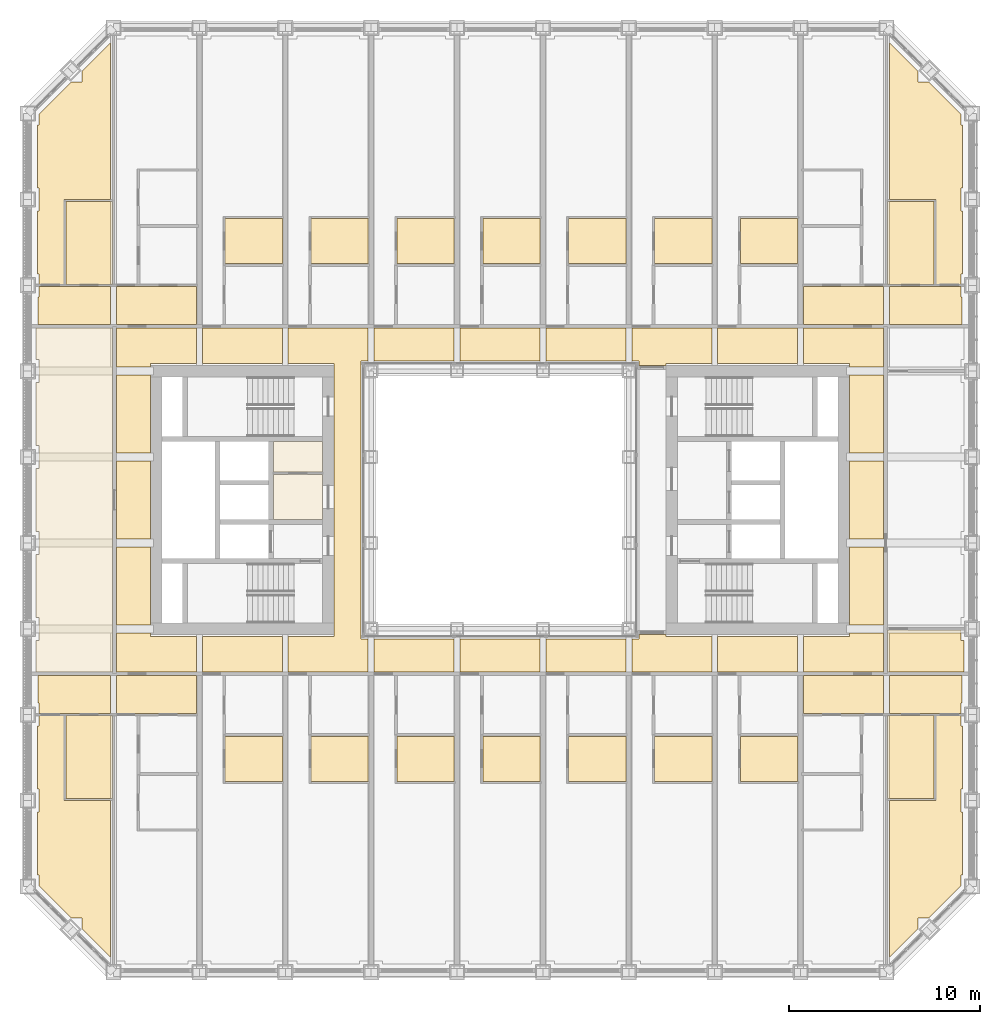
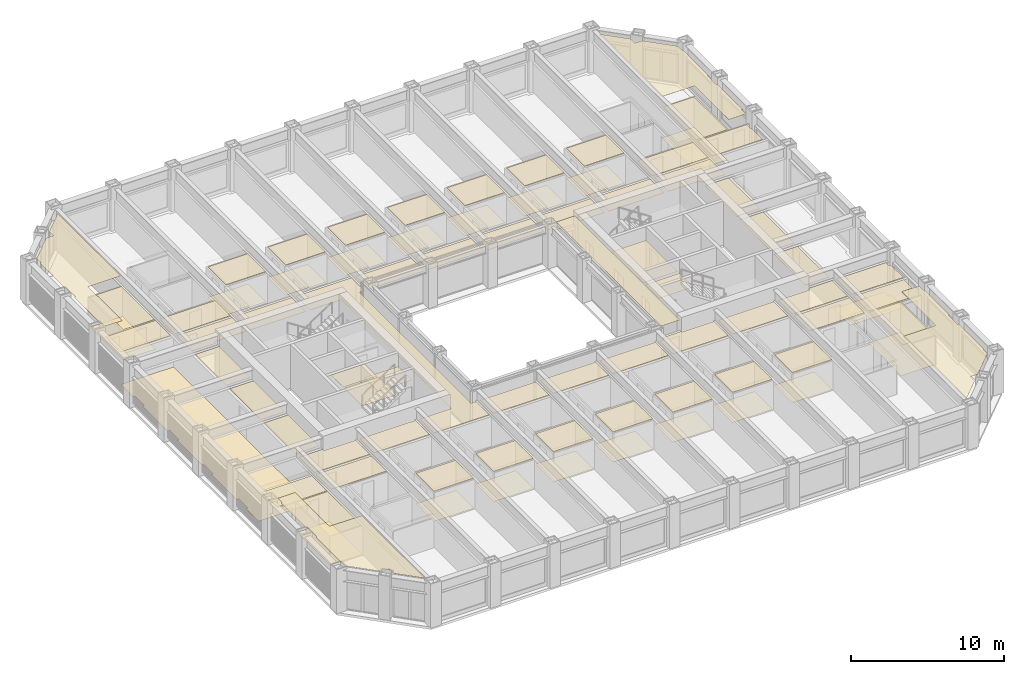
# One storey, part 19 of 21: 4 coverings.
"""IFC4 building model written with IfcOpenShell, lengths in metres."""

from ifc_helpers import new_model, si_unit, direction, frame, origin, place, context, subcontext, project, spatial, line, indexed_curve, outline, extrude, material, layer, layer_set, type_object, element, save


model = new_model("IFC4")

# Units and contexts
model_context = context("Model", 3, precision=1e-05, world=origin(), true_north=direction((0.0, 1.0)))
body_context = subcontext(model_context, "Body", "Model", "MODEL_VIEW")
ifc_project = project(units=[si_unit("LENGTHUNIT", "METRE"), si_unit("AREAUNIT", "SQUARE_METRE"), si_unit("VOLUMEUNIT", "CUBIC_METRE"), si_unit("PLANEANGLEUNIT", "RADIAN"), si_unit("MASSUNIT", "GRAM", prefix="KILO")], contexts=[model_context])

# Site, building, storey
site_placement = place(None, origin())
site = spatial("IfcSite", under=ifc_project, at=site_placement, CompositionType="ELEMENT")
building_placement = place(site_placement, origin())
building = spatial("IfcBuilding", under=site, at=building_placement, Name="Msasa Ring Tower", CompositionType="ELEMENT")
storey_placement = place(building_placement, frame((0.0, 0.0, 33.5)))
storey = spatial("IfcBuildingStorey", under=building, at=storey_placement, Name="L07", CompositionType="ELEMENT", Elevation=33.5)

# Coverings
ifc_material_1 = material(Name="Gypsum plasterboard on a steel suspension grid", Category="steel")
ifc_layer_1 = layer(ifc_material_1, 0.014892578125)
ifc_layer_set_1 = layer_set([ifc_layer_1], Name="C1 SUSPENDED PLASTERBOARD CEILING 15")
covering_type_1 = type_object("IfcCoveringType", Name="C1 SUSPENDED PLASTERBOARD CEILING 15", PredefinedType="CEILING", material=ifc_layer_set_1)
covering_1_placement = place(storey_placement, frame((0.0, 0.0, 2.39990234375)))
element("IfcCovering", 1, at=covering_1_placement, inside=storey, type_object=covering_type_1, Name="Suspended Plasterboard Ceiling 15 circulation L07", PredefinedType="CEILING", context=body_context, shape_type="SweptSolid", body=[
    extrude(outline(indexed_curve([(-24.1494140625, -11.199462890625), (-24.1494140625, -10.6494140625), (-24.199462890625, -10.6494140625), (-24.199462890625, -9.200439453125), (-20.404296875, -9.200439453125), (-20.404296875, -11.199462890625)], segments=[line(1, 2, 3, 4, 5, 6, 1)], self_intersect=False)), origin(), (0.0, 0.0, 1.0), 0.01513671875),
    extrude(outline(indexed_curve([(-24.199462890625, 9.200439453125), (-24.199462890625, 10.6494140625), (-24.1494140625, 10.6494140625), (-24.1494140625, 11.199462890625), (-20.404296875, 11.199462890625), (-20.404296875, 9.200439453125)], segments=[line(1, 2, 3, 4, 5, 6, 1)], self_intersect=False)), origin(), (0.0, 0.0, 1.0), 0.01513671875),
    extrude(outline(indexed_curve([(-20.099609375, -2.460693359375), (-18.300537109375, -2.460693359375), (-18.300537109375, -6.539306640625), (-20.099609375, -6.539306640625)], segments=[line(1, 2, 3, 4, 1)], self_intersect=False)), origin(), (0.0, 0.0, 1.0), 0.01513671875),
    extrude(outline(indexed_curve([(-20.099609375, 2.039306640625), (-18.300537109375, 2.039306640625), (-18.300537109375, -2.039306640625), (-20.099609375, -2.039306640625)], segments=[line(1, 2, 3, 4, 1)], self_intersect=False)), origin(), (0.0, 0.0, 1.0), 0.01513671875),
    extrude(outline(indexed_curve([(-20.099609375, 6.539306640625), (-18.300537109375, 6.539306640625), (-18.300537109375, 2.460693359375), (-20.099609375, 2.460693359375)], segments=[line(1, 2, 3, 4, 1)], self_intersect=False)), origin(), (0.0, 0.0, 1.0), 0.01513671875),
    extrude(outline(indexed_curve([(-20.095703125, -11.199462890625), (-20.095703125, -9.200439453125), (-15.904296875, -9.200439453125), (-15.904296875, -11.199462890625)], segments=[line(1, 2, 3, 4, 1)], self_intersect=False)), origin(), (0.0, 0.0, 1.0), 0.01513671875),
    extrude(outline(indexed_curve([(-20.095703125, -8.99951171875), (-20.095703125, -6.960693359375), (-18.300537109375, -6.960693359375), (-18.300537109375, -7.150390625), (-15.904296875, -7.150390625), (-15.904296875, -8.99951171875)], segments=[line(1, 2, 3, 4, 5, 6, 1)], self_intersect=False)), origin(), (0.0, 0.0, 1.0), 0.01513671875),
    extrude(outline(indexed_curve([(-15.904296875, 8.99951171875), (-15.904296875, 7.150390625), (-18.300537109375, 7.150390625), (-18.300537109375, 6.960693359375), (-20.095703125, 6.960693359375), (-20.095703125, 8.99951171875)], segments=[line(1, 2, 3, 4, 5, 6, 1)], self_intersect=False)), origin(), (0.0, 0.0, 1.0), 0.01513671875),
    extrude(outline(indexed_curve([(-20.095703125, 9.200439453125), (-20.095703125, 11.199462890625), (-15.904296875, 11.199462890625), (-15.904296875, 9.200439453125)], segments=[line(1, 2, 3, 4, 1)], self_intersect=False)), origin(), (0.0, 0.0, 1.0), 0.01513671875),
    extrude(outline(indexed_curve([(-15.595703125, -8.99951171875), (-15.595703125, -7.150390625), (-11.404296875, -7.150390625), (-11.404296875, -8.99951171875)], segments=[line(1, 2, 3, 4, 1)], self_intersect=False)), origin(), (0.0, 0.0, 1.0), 0.01513671875),
    extrude(outline(indexed_curve([(-11.404296875, 8.99951171875), (-11.404296875, 7.150390625), (-15.595703125, 7.150390625), (-15.595703125, 8.99951171875)], segments=[line(1, 2, 3, 4, 1)], self_intersect=False)), origin(), (0.0, 0.0, 1.0), 0.01513671875),
    extrude(outline(indexed_curve([(-11.87451171875, -3.074462890625), (-11.87451171875, -1.275390625), (-9.300537109375, -1.275390625), (-9.300537109375, -3.074462890625)], segments=[line(1, 2, 3, 4, 1)], self_intersect=False)), origin(), (0.0, 0.0, 1.0), 0.01513671875),
    extrude(outline(indexed_curve([(-11.095703125, -8.99951171875), (-11.095703125, -7.150390625), (-8.699462890625, -7.150390625), (-8.699462890625, 7.150390625), (-11.095703125, 7.150390625), (-11.095703125, 8.99951171875), (-6.904296875, 8.99951171875), (-6.904296875, 7.280029296875), (-7.275390625, 7.275390625), (-7.280517578125, 7.23046875), (-7.280517578125, -7.23046875), (-7.275390625, -7.275390625), (-6.904296875, -7.280029296875), (-6.904296875, -8.99951171875)], segments=[line(1, 2, 3, 4, 5, 6, 7, 8, 9, 10, 11, 12, 13, 14, 1)], self_intersect=False)), origin(), (0.0, 0.0, 1.0), 0.01513671875),
    extrude(outline(indexed_curve([(-6.595703125, -8.99951171875), (-6.595703125, -7.280029296875), (-2.404296875, -7.280029296875), (-2.404296875, -8.99951171875)], segments=[line(1, 2, 3, 4, 1)], self_intersect=False)), origin(), (0.0, 0.0, 1.0), 0.01513671875),
    extrude(outline(indexed_curve([(-2.404296875, 8.99951171875), (-2.404296875, 7.280029296875), (-6.595703125, 7.280029296875), (-6.595703125, 8.99951171875)], segments=[line(1, 2, 3, 4, 1)], self_intersect=False)), origin(), (0.0, 0.0, 1.0), 0.01513671875),
    extrude(outline(indexed_curve([(-2.095703125, -8.99951171875), (-2.095703125, -7.280029296875), (2.095703125, -7.280029296875), (2.095703125, -8.99951171875)], segments=[line(1, 2, 3, 4, 1)], self_intersect=False)), origin(), (0.0, 0.0, 1.0), 0.01513671875),
    extrude(outline(indexed_curve([(2.095703125, 8.99951171875), (2.095703125, 7.280029296875), (-2.095703125, 7.280029296875), (-2.095703125, 8.99951171875)], segments=[line(1, 2, 3, 4, 1)], self_intersect=False)), origin(), (0.0, 0.0, 1.0), 0.01513671875),
    extrude(outline(indexed_curve([(2.404296875, -8.99951171875), (2.404296875, -7.280029296875), (6.595703125, -7.280029296875), (6.595703125, -8.99951171875)], segments=[line(1, 2, 3, 4, 1)], self_intersect=False)), origin(), (0.0, 0.0, 1.0), 0.01513671875),
    extrude(outline(indexed_curve([(6.595703125, 8.99951171875), (6.595703125, 7.280029296875), (2.404296875, 7.280029296875), (2.404296875, 8.99951171875)], segments=[line(1, 2, 3, 4, 1)], self_intersect=False)), origin(), (0.0, 0.0, 1.0), 0.01513671875),
    extrude(outline(indexed_curve([(6.904296875, -8.99951171875), (6.904296875, -7.280029296875), (7.275390625, -7.275390625), (7.280029296875, -7.050537109375), (8.699462890625, -7.050537109375), (8.699462890625, -7.150390625), (11.095703125, -7.150390625), (11.095703125, -8.99951171875)], segments=[line(1, 2, 3, 4, 5, 6, 7, 8, 1)], self_intersect=False)), origin(), (0.0, 0.0, 1.0), 0.01513671875),
    extrude(outline(indexed_curve([(11.095703125, 8.99951171875), (11.095703125, 7.150390625), (8.699462890625, 7.150390625), (8.699462890625, 7.050537109375), (7.280029296875, 7.050537109375), (7.275390625, 7.275390625), (6.904296875, 7.280029296875), (6.904296875, 8.99951171875)], segments=[line(1, 2, 3, 4, 5, 6, 7, 8, 1)], self_intersect=False)), origin(), (0.0, 0.0, 1.0), 0.01513671875),
    extrude(outline(indexed_curve([(9.300537109375, -3.074462890625), (9.300537109375, -1.275390625), (11.87451171875, -1.275390625), (11.87451171875, -3.074462890625)], segments=[line(1, 2, 3, 4, 1)], self_intersect=False)), origin(), (0.0, 0.0, 1.0), 0.01513671875),
    extrude(outline(indexed_curve([(9.300537109375, -1.0244140625), (9.300537109375, 3.074462890625), (11.87451171875, 3.074462890625), (11.87451171875, -1.0244140625)], segments=[line(1, 2, 3, 4, 1)], self_intersect=False)), origin(), (0.0, 0.0, 1.0), 0.01513671875),
    extrude(outline(indexed_curve([(11.404296875, -8.99951171875), (11.404296875, -7.150390625), (15.595703125, -7.150390625), (15.595703125, -8.99951171875)], segments=[line(1, 2, 3, 4, 1)], self_intersect=False)), origin(), (0.0, 0.0, 1.0), 0.01513671875),
    extrude(outline(indexed_curve([(15.595703125, 8.99951171875), (15.595703125, 7.150390625), (11.404296875, 7.150390625), (11.404296875, 8.99951171875)], segments=[line(1, 2, 3, 4, 1)], self_intersect=False)), origin(), (0.0, 0.0, 1.0), 0.01513671875),
    extrude(outline(indexed_curve([(15.904296875, -11.199462890625), (15.904296875, -9.200439453125), (20.095703125, -9.200439453125), (20.095703125, -11.199462890625)], segments=[line(1, 2, 3, 4, 1)], self_intersect=False)), origin(), (0.0, 0.0, 1.0), 0.01513671875),
    extrude(outline(indexed_curve([(15.904296875, -8.99951171875), (15.904296875, -7.150390625), (18.300537109375, -7.150390625), (18.300537109375, -6.960693359375), (20.095703125, -6.960693359375), (20.095703125, -8.99951171875)], segments=[line(1, 2, 3, 4, 5, 6, 1)], self_intersect=False)), origin(), (0.0, 0.0, 1.0), 0.01513671875),
    extrude(outline(indexed_curve([(20.095703125, 8.99951171875), (20.095703125, 6.960693359375), (18.300537109375, 6.960693359375), (18.300537109375, 7.150390625), (15.904296875, 7.150390625), (15.904296875, 8.99951171875)], segments=[line(1, 2, 3, 4, 5, 6, 1)], self_intersect=False)), origin(), (0.0, 0.0, 1.0), 0.01513671875),
    extrude(outline(indexed_curve([(15.904296875, 9.200439453125), (15.904296875, 11.199462890625), (20.095703125, 11.199462890625), (20.095703125, 9.200439453125)], segments=[line(1, 2, 3, 4, 1)], self_intersect=False)), origin(), (0.0, 0.0, 1.0), 0.01513671875),
    extrude(outline(indexed_curve([(20.099609375, -6.539306640625), (18.300537109375, -6.539306640625), (18.300537109375, -2.460693359375), (20.099609375, -2.460693359375)], segments=[line(1, 2, 3, 4, 1)], self_intersect=False)), origin(), (0.0, 0.0, 1.0), 0.01513671875),
    extrude(outline(indexed_curve([(20.099609375, -2.039306640625), (18.300537109375, -2.039306640625), (18.300537109375, 2.039306640625), (20.099609375, 2.039306640625)], segments=[line(1, 2, 3, 4, 1)], self_intersect=False)), origin(), (0.0, 0.0, 1.0), 0.01513671875),
    extrude(outline(indexed_curve([(20.099609375, 2.460693359375), (18.300537109375, 2.460693359375), (18.300537109375, 6.539306640625), (20.099609375, 6.539306640625)], segments=[line(1, 2, 3, 4, 1)], self_intersect=False)), origin(), (0.0, 0.0, 1.0), 0.01513671875),
    extrude(outline(indexed_curve([(20.404296875, -11.199462890625), (20.404296875, -9.200439453125), (24.199462890625, -9.200439453125), (24.199462890625, -10.6494140625), (24.1494140625, -10.6494140625), (24.1494140625, -11.199462890625)], segments=[line(1, 2, 3, 4, 5, 6, 1)], self_intersect=False)), origin(), (0.0, 0.0, 1.0), 0.01513671875),
    extrude(outline(indexed_curve([(20.404296875, 9.200439453125), (20.404296875, 11.199462890625), (24.1494140625, 11.199462890625), (24.1494140625, 10.6494140625), (24.199462890625, 10.6494140625), (24.199462890625, 9.200439453125)], segments=[line(1, 2, 3, 4, 5, 6, 1)], self_intersect=False)), origin(), (0.0, 0.0, 1.0), 0.01513671875),
])
covering_2_placement = place(storey_placement, frame((0.0, 0.0, 3.175048828125)))
element("IfcCovering", 2, at=covering_2_placement, inside=storey, type_object=covering_type_1, Name="Suspended Plasterboard Ceiling 15 public rooms L07", PredefinedType="CEILING", context=body_context, shape_type="SweptSolid", body=[
    extrude(outline(indexed_curve([(-20.404296875, -15.74267578125), (-20.404296875, -23.95849609375), (-21.8994140625, -22.46337890625), (-21.8994140625, -21.8994140625), (-22.46337890625, -21.8994140625), (-24.1494140625, -20.21337890625), (-24.1494140625, -19.6494140625), (-24.239501953125, -19.6494140625), (-24.239501953125, -16.3505859375), (-24.1494140625, -16.3505859375), (-24.1494140625, -15.1494140625), (-24.239501953125, -15.1494140625), (-24.239501953125, -11.8505859375), (-24.1494140625, -11.8505859375), (-24.1494140625, -11.300537109375), (-22.8505859375, -11.300537109375), (-22.8505859375, -15.74267578125)], segments=[line(1, 2, 3, 4, 5, 6, 7, 8, 9, 10, 11, 12, 13, 14, 15, 16, 17, 1)], self_intersect=False)), origin(), (0.0, 0.0, 1.0), 0.014892578125),
    extrude(outline(indexed_curve([(-22.8505859375, 11.300537109375), (-24.1494140625, 11.300537109375), (-24.1494140625, 11.8505859375), (-24.239501953125, 11.8505859375), (-24.239501953125, 15.1494140625), (-24.1494140625, 15.1494140625), (-24.1494140625, 16.3505859375), (-24.239501953125, 16.3505859375), (-24.239501953125, 19.6494140625), (-24.1494140625, 19.6494140625), (-24.1494140625, 20.21337890625), (-22.46337890625, 21.8994140625), (-21.8994140625, 21.8994140625), (-21.8994140625, 22.46337890625), (-20.404296875, 23.95849609375), (-20.404296875, 15.74267578125), (-22.8505859375, 15.74267578125)], segments=[line(1, 2, 3, 4, 5, 6, 7, 8, 9, 10, 11, 12, 13, 14, 15, 16, 17, 1)], self_intersect=False)), origin(), (0.0, 0.0, 1.0), 0.014892578125),
    extrude(outline(indexed_curve([(8.699462890625, -6.849609375), (7.280029296875, -6.849609375), (7.280029296875, 6.849609375), (8.699462890625, 6.849609375)], segments=[line(1, 2, 3, 4, 1)], self_intersect=False)), origin(), (0.0, 0.0, 1.0), 0.014892578125),
    extrude(outline(indexed_curve([(22.8505859375, -15.74267578125), (22.8505859375, -11.300537109375), (24.1494140625, -11.300537109375), (24.1494140625, -11.8505859375), (24.239501953125, -11.8505859375), (24.239501953125, -15.1494140625), (24.1494140625, -15.1494140625), (24.1494140625, -16.3505859375), (24.239501953125, -16.3505859375), (24.239501953125, -19.6494140625), (24.1494140625, -19.6494140625), (24.1494140625, -20.21337890625), (22.46337890625, -21.8994140625), (21.8994140625, -21.8994140625), (21.8994140625, -22.46337890625), (20.404296875, -23.95849609375), (20.404296875, -15.74267578125)], segments=[line(1, 2, 3, 4, 5, 6, 7, 8, 9, 10, 11, 12, 13, 14, 15, 16, 17, 1)], self_intersect=False)), origin(), (0.0, 0.0, 1.0), 0.014892578125),
    extrude(outline(indexed_curve([(21.8994140625, 22.46337890625), (21.8994140625, 21.8994140625), (22.46337890625, 21.8994140625), (24.1494140625, 20.21337890625), (24.1494140625, 19.6494140625), (24.239501953125, 19.6494140625), (24.239501953125, 16.3505859375), (24.1494140625, 16.3505859375), (24.1494140625, 15.1494140625), (24.239501953125, 15.1494140625), (24.239501953125, 11.8505859375), (24.1494140625, 11.8505859375), (24.1494140625, 11.300537109375), (22.8505859375, 11.300537109375), (22.8505859375, 15.74267578125), (20.404296875, 15.74267578125), (20.404296875, 23.95849609375)], segments=[line(1, 2, 3, 4, 5, 6, 7, 8, 9, 10, 11, 12, 13, 14, 15, 16, 17, 1)], self_intersect=False)), origin(), (0.0, 0.0, 1.0), 0.014892578125),
])
ifc_material_2 = material(Name="Perforated aluminium ceiling pans on a steel grid", Category="steel")
ifc_layer_2 = layer(ifc_material_2, 0.02490234375)
ifc_layer_set_2 = layer_set([ifc_layer_2], Name="C4 PERFORATED METAL PAN CEILING 25")
covering_type_2 = type_object("IfcCoveringType", Name="C4 PERFORATED METAL PAN CEILING 25", PredefinedType="CEILING", material=ifc_layer_set_2)
covering_3_placement = place(storey_placement, frame((0.0, 0.0, 2.39990234375)))
element("IfcCovering", 3, at=covering_3_placement, inside=storey, type_object=covering_type_2, Name="Perforated Metal Pan Ceiling 25 L07", PredefinedType="CEILING", context=body_context, shape_type="SweptSolid", body=[
    extrude(outline(indexed_curve([(-22.74951171875, -11.300537109375), (-20.404296875, -11.300537109375), (-20.404296875, -15.6416015625), (-22.74951171875, -15.6416015625)], segments=[line(1, 2, 3, 4, 1)], self_intersect=False)), origin(), (0.0, 0.0, 1.0), 0.025146484375),
    extrude(outline(indexed_curve([(-22.74951171875, 15.6416015625), (-20.404296875, 15.6416015625), (-20.404296875, 11.300537109375), (-22.74951171875, 11.300537109375)], segments=[line(1, 2, 3, 4, 1)], self_intersect=False)), origin(), (0.0, 0.0, 1.0), 0.025146484375),
    extrude(outline(indexed_curve([(-14.3994140625, -12.380615234375), (-11.404296875, -12.380615234375), (-11.404296875, -14.744384765625), (-14.3994140625, -14.744384765625)], segments=[line(1, 2, 3, 4, 1)], self_intersect=False)), origin(), (0.0, 0.0, 1.0), 0.025146484375),
    extrude(outline(indexed_curve([(-14.3994140625, 14.744384765625), (-11.404296875, 14.744384765625), (-11.404296875, 12.380615234375), (-14.3994140625, 12.380615234375)], segments=[line(1, 2, 3, 4, 1)], self_intersect=False)), origin(), (0.0, 0.0, 1.0), 0.025146484375),
    extrude(outline(indexed_curve([(-9.8994140625, -12.380615234375), (-6.904296875, -12.380615234375), (-6.904296875, -14.744384765625), (-9.8994140625, -14.744384765625)], segments=[line(1, 2, 3, 4, 1)], self_intersect=False)), origin(), (0.0, 0.0, 1.0), 0.025146484375),
    extrude(outline(indexed_curve([(-6.904296875, 14.744384765625), (-6.904296875, 12.380615234375), (-9.8994140625, 12.380615234375), (-9.8994140625, 14.744384765625)], segments=[line(1, 2, 3, 4, 1)], self_intersect=False)), origin(), (0.0, 0.0, 1.0), 0.025146484375),
    extrude(outline(indexed_curve([(-5.3994140625, -12.380615234375), (-2.404296875, -12.380615234375), (-2.404296875, -14.744384765625), (-5.3994140625, -14.744384765625)], segments=[line(1, 2, 3, 4, 1)], self_intersect=False)), origin(), (0.0, 0.0, 1.0), 0.025146484375),
    extrude(outline(indexed_curve([(-2.404296875, 14.744384765625), (-2.404296875, 12.380615234375), (-5.3994140625, 12.380615234375), (-5.3994140625, 14.744384765625)], segments=[line(1, 2, 3, 4, 1)], self_intersect=False)), origin(), (0.0, 0.0, 1.0), 0.025146484375),
    extrude(outline(indexed_curve([(-0.8994140625, -12.380615234375), (2.095703125, -12.380615234375), (2.095703125, -14.744384765625), (-0.8994140625, -14.744384765625)], segments=[line(1, 2, 3, 4, 1)], self_intersect=False)), origin(), (0.0, 0.0, 1.0), 0.025146484375),
    extrude(outline(indexed_curve([(-0.8994140625, 14.744384765625), (2.095703125, 14.744384765625), (2.095703125, 12.380615234375), (-0.8994140625, 12.380615234375)], segments=[line(1, 2, 3, 4, 1)], self_intersect=False)), origin(), (0.0, 0.0, 1.0), 0.025146484375),
    extrude(outline(indexed_curve([(3.6005859375, -12.380615234375), (6.595703125, -12.380615234375), (6.595703125, -14.744384765625), (3.6005859375, -14.744384765625)], segments=[line(1, 2, 3, 4, 1)], self_intersect=False)), origin(), (0.0, 0.0, 1.0), 0.025146484375),
    extrude(outline(indexed_curve([(3.6005859375, 14.744384765625), (6.595703125, 14.744384765625), (6.595703125, 12.380615234375), (3.6005859375, 12.380615234375)], segments=[line(1, 2, 3, 4, 1)], self_intersect=False)), origin(), (0.0, 0.0, 1.0), 0.025146484375),
    extrude(outline(indexed_curve([(8.1005859375, -12.380615234375), (11.095703125, -12.380615234375), (11.095703125, -14.744384765625), (8.1005859375, -14.744384765625)], segments=[line(1, 2, 3, 4, 1)], self_intersect=False)), origin(), (0.0, 0.0, 1.0), 0.025146484375),
    extrude(outline(indexed_curve([(11.095703125, 14.744384765625), (11.095703125, 12.380615234375), (8.1005859375, 12.380615234375), (8.1005859375, 14.744384765625)], segments=[line(1, 2, 3, 4, 1)], self_intersect=False)), origin(), (0.0, 0.0, 1.0), 0.025146484375),
    extrude(outline(indexed_curve([(15.595703125, -12.380615234375), (15.595703125, -14.744384765625), (12.6005859375, -14.744384765625), (12.6005859375, -12.380615234375)], segments=[line(1, 2, 3, 4, 1)], self_intersect=False)), origin(), (0.0, 0.0, 1.0), 0.025146484375),
    extrude(outline(indexed_curve([(15.595703125, 14.744384765625), (15.595703125, 12.380615234375), (12.6005859375, 12.380615234375), (12.6005859375, 14.744384765625)], segments=[line(1, 2, 3, 4, 1)], self_intersect=False)), origin(), (0.0, 0.0, 1.0), 0.025146484375),
    extrude(outline(indexed_curve([(22.74951171875, -11.300537109375), (22.74951171875, -15.6416015625), (20.404296875, -15.6416015625), (20.404296875, -11.300537109375)], segments=[line(1, 2, 3, 4, 1)], self_intersect=False)), origin(), (0.0, 0.0, 1.0), 0.025146484375),
    extrude(outline(indexed_curve([(20.404296875, -8.99951171875), (20.404296875, -6.960693359375), (24.1494140625, -6.960693359375), (24.1494140625, -7.3505859375), (24.299560546875, -7.3505859375), (24.299560546875, -8.99951171875)], segments=[line(1, 2, 3, 4, 5, 6, 1)], self_intersect=False)), origin(), (0.0, 0.0, 1.0), 0.025146484375),
    extrude(outline(indexed_curve([(22.74951171875, 15.6416015625), (22.74951171875, 11.300537109375), (20.404296875, 11.300537109375), (20.404296875, 15.6416015625)], segments=[line(1, 2, 3, 4, 1)], self_intersect=False)), origin(), (0.0, 0.0, 1.0), 0.025146484375),
])
ifc_material_3 = material(Name="Welded vinyl safety sheet flooring", Category="vinyl")
ifc_layer_3 = layer(ifc_material_3, 0.0029296875)
ifc_layer_set_3 = layer_set([ifc_layer_3], Name="F5 RESILIENT SHEET FLOORING 3")
covering_type_3 = type_object("IfcCoveringType", Name="F5 RESILIENT SHEET FLOORING 3", PredefinedType="FLOORING", material=ifc_layer_set_3)
covering_4_placement = place(storey_placement, origin())
element("IfcCovering", 4, at=covering_4_placement, inside=storey, type_object=covering_type_3, Name="Resilient Sheet Flooring 3 L07", PredefinedType="FLOORING", context=body_context, shape_type="SweptSolid", body=[
    extrude(outline(indexed_curve([(-24.299560546875, -7.3505859375), (-24.1494140625, -7.3505859375), (-24.1494140625, -6.1494140625), (-24.299560546875, -6.1494140625), (-24.299560546875, -2.8505859375), (-24.1494140625, -2.8505859375), (-24.1494140625, -1.6494140625), (-24.299560546875, -1.6494140625), (-24.299560546875, 1.6494140625), (-24.1494140625, 1.6494140625), (-24.1494140625, 2.8505859375), (-24.299560546875, 2.8505859375), (-24.299560546875, 6.1494140625), (-24.1494140625, 6.1494140625), (-24.1494140625, 7.3505859375), (-24.299560546875, 7.3505859375), (-24.299560546875, 8.99951171875), (-20.300537109375, 8.99951171875), (-20.300537109375, -8.99951171875), (-24.299560546875, -8.99951171875)], segments=[line(1, 2, 3, 4, 5, 6, 7, 8, 9, 10, 11, 12, 13, 14, 15, 16, 17, 18, 19, 20, 1)], self_intersect=False)), origin(), (0.0, 0.0, 1.0), 0.0029296875),
    extrude(outline(indexed_curve([(-20.310546875, -15.6416015625), (-22.74951171875, -15.6416015625), (-22.74951171875, -11.300537109375), (-20.310546875, -11.300537109375)], segments=[line(1, 2, 3, 4, 1)], self_intersect=False)), origin(), (0.0, 0.0, 1.0), 0.0029296875),
    extrude(outline(indexed_curve([(-20.310546875, 11.300537109375), (-22.74951171875, 11.300537109375), (-22.74951171875, 15.6416015625), (-20.310546875, 15.6416015625)], segments=[line(1, 2, 3, 4, 1)], self_intersect=False)), origin(), (0.0, 0.0, 1.0), 0.0029296875),
    extrude(outline(indexed_curve([(-11.37548828125, -12.380615234375), (-11.37548828125, -14.744384765625), (-14.3994140625, -14.744384765625), (-14.3994140625, -12.380615234375)], segments=[line(1, 2, 3, 4, 1)], self_intersect=False)), origin(), (0.0, 0.0, 1.0), 0.0029296875),
    extrude(outline(indexed_curve([(-11.37548828125, 14.744384765625), (-11.37548828125, 12.380615234375), (-14.3994140625, 12.380615234375), (-14.3994140625, 14.744384765625)], segments=[line(1, 2, 3, 4, 1)], self_intersect=False)), origin(), (0.0, 0.0, 1.0), 0.0029296875),
    extrude(outline(indexed_curve([(-9.300537109375, 1.344482421875), (-9.300537109375, -1.0244140625), (-11.87451171875, -1.0244140625), (-11.87451171875, 1.344482421875)], segments=[line(1, 2, 3, 4, 1)], self_intersect=False)), origin(), (0.0, 0.0, 1.0), 0.0029296875),
    extrude(outline(indexed_curve([(-9.300537109375, 1.45556640625), (-11.87451171875, 1.45556640625), (-11.87451171875, 3.074462890625), (-9.300537109375, 3.074462890625)], segments=[line(1, 2, 3, 4, 1)], self_intersect=False)), origin(), (0.0, 0.0, 1.0), 0.0029296875),
    extrude(outline(indexed_curve([(-6.87548828125, -12.380615234375), (-6.87548828125, -14.744384765625), (-9.8994140625, -14.744384765625), (-9.8994140625, -12.380615234375)], segments=[line(1, 2, 3, 4, 1)], self_intersect=False)), origin(), (0.0, 0.0, 1.0), 0.0029296875),
    extrude(outline(indexed_curve([(-9.8994140625, 12.380615234375), (-9.8994140625, 14.744384765625), (-6.87548828125, 14.744384765625), (-6.87548828125, 12.380615234375)], segments=[line(1, 2, 3, 4, 1)], self_intersect=False)), origin(), (0.0, 0.0, 1.0), 0.0029296875),
    extrude(outline(indexed_curve([(-2.37548828125, -12.380615234375), (-2.37548828125, -14.744384765625), (-5.3994140625, -14.744384765625), (-5.3994140625, -12.380615234375)], segments=[line(1, 2, 3, 4, 1)], self_intersect=False)), origin(), (0.0, 0.0, 1.0), 0.0029296875),
    extrude(outline(indexed_curve([(-5.3994140625, 12.380615234375), (-5.3994140625, 14.744384765625), (-2.37548828125, 14.744384765625), (-2.37548828125, 12.380615234375)], segments=[line(1, 2, 3, 4, 1)], self_intersect=False)), origin(), (0.0, 0.0, 1.0), 0.0029296875),
    extrude(outline(indexed_curve([(2.12451171875, -12.380615234375), (2.12451171875, -14.744384765625), (-0.8994140625, -14.744384765625), (-0.8994140625, -12.380615234375)], segments=[line(1, 2, 3, 4, 1)], self_intersect=False)), origin(), (0.0, 0.0, 1.0), 0.0029296875),
    extrude(outline(indexed_curve([(-0.8994140625, 12.380615234375), (-0.8994140625, 14.744384765625), (2.12451171875, 14.744384765625), (2.12451171875, 12.380615234375)], segments=[line(1, 2, 3, 4, 1)], self_intersect=False)), origin(), (0.0, 0.0, 1.0), 0.0029296875),
    extrude(outline(indexed_curve([(6.62451171875, -12.380615234375), (6.62451171875, -14.744384765625), (3.6005859375, -14.744384765625), (3.6005859375, -12.380615234375)], segments=[line(1, 2, 3, 4, 1)], self_intersect=False)), origin(), (0.0, 0.0, 1.0), 0.0029296875),
    extrude(outline(indexed_curve([(6.62451171875, 14.744384765625), (6.62451171875, 12.380615234375), (3.6005859375, 12.380615234375), (3.6005859375, 14.744384765625)], segments=[line(1, 2, 3, 4, 1)], self_intersect=False)), origin(), (0.0, 0.0, 1.0), 0.0029296875),
    extrude(outline(indexed_curve([(11.12451171875, -12.380615234375), (11.12451171875, -14.744384765625), (8.1005859375, -14.744384765625), (8.1005859375, -12.380615234375)], segments=[line(1, 2, 3, 4, 1)], self_intersect=False)), origin(), (0.0, 0.0, 1.0), 0.0029296875),
    extrude(outline(indexed_curve([(8.1005859375, 12.380615234375), (8.1005859375, 14.744384765625), (11.12451171875, 14.744384765625), (11.12451171875, 12.380615234375)], segments=[line(1, 2, 3, 4, 1)], self_intersect=False)), origin(), (0.0, 0.0, 1.0), 0.0029296875),
    extrude(outline(indexed_curve([(12.6005859375, -14.744384765625), (12.6005859375, -12.380615234375), (15.62451171875, -12.380615234375), (15.62451171875, -14.744384765625)], segments=[line(1, 2, 3, 4, 1)], self_intersect=False)), origin(), (0.0, 0.0, 1.0), 0.0029296875),
    extrude(outline(indexed_curve([(12.6005859375, 12.380615234375), (12.6005859375, 14.744384765625), (15.62451171875, 14.744384765625), (15.62451171875, 12.380615234375)], segments=[line(1, 2, 3, 4, 1)], self_intersect=False)), origin(), (0.0, 0.0, 1.0), 0.0029296875),
    extrude(outline(indexed_curve([(20.300537109375, -6.805419921875), (24.1494140625, -6.805419921875), (24.1494140625, -7.3505859375), (24.299560546875, -7.3505859375), (24.299560546875, -8.99951171875), (20.300537109375, -8.99951171875)], segments=[line(1, 2, 3, 4, 5, 6, 1)], self_intersect=False)), origin(), (0.0, 0.0, 1.0), 0.0029296875),
    extrude(outline(indexed_curve([(22.74951171875, -15.6416015625), (20.310546875, -15.6416015625), (20.310546875, -11.300537109375), (22.74951171875, -11.300537109375)], segments=[line(1, 2, 3, 4, 1)], self_intersect=False)), origin(), (0.0, 0.0, 1.0), 0.0029296875),
    extrude(outline(indexed_curve([(22.74951171875, 11.300537109375), (20.310546875, 11.300537109375), (20.310546875, 15.6416015625), (22.74951171875, 15.6416015625)], segments=[line(1, 2, 3, 4, 1)], self_intersect=False)), origin(), (0.0, 0.0, 1.0), 0.0029296875),
])

save(model, "model.ifc")
